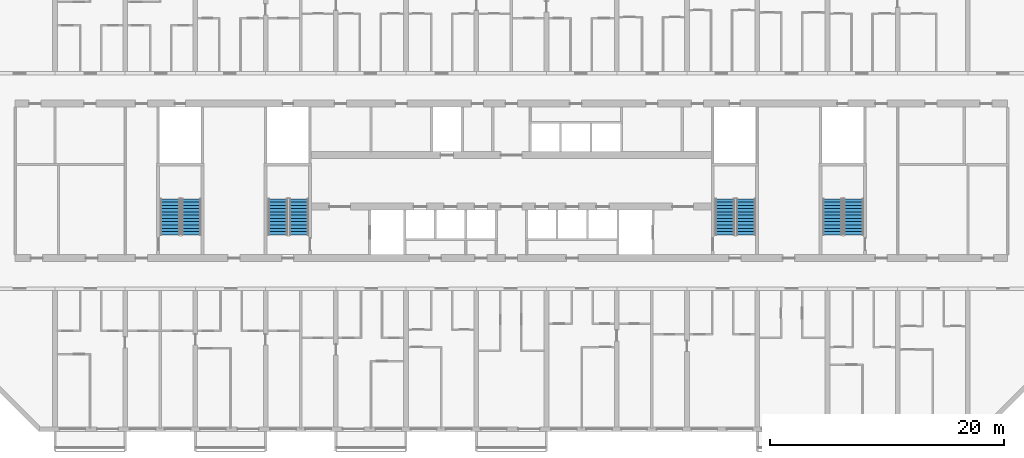
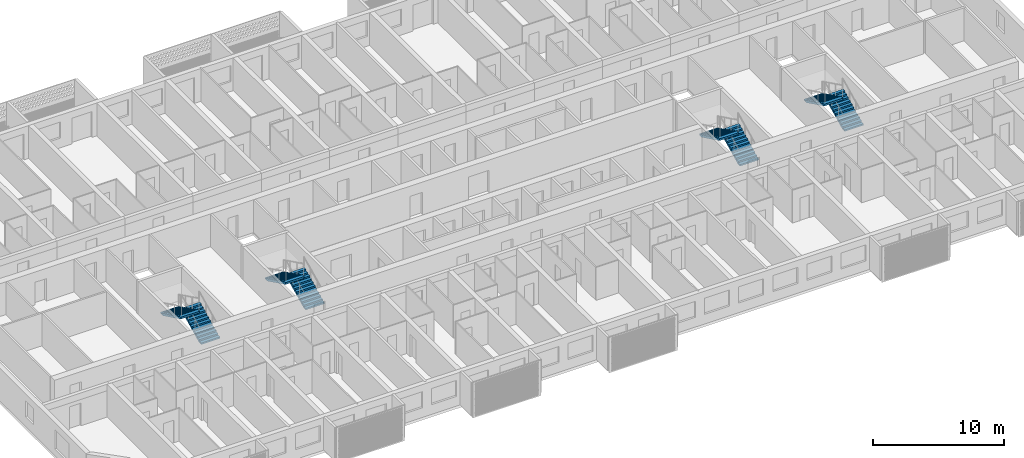
# One storey, part 17 of 39: 8 stair flights, 4 elements without a shape of their own.
"""IFC4 building model written with IfcOpenShell, lengths in metres."""

from ifc_helpers import new_model, si_unit, direction, frame, origin, place, context, subcontext, project, spatial, polyline, outline, extrude, material, layer, layer_set, type_object, element, aggregate, save


model = new_model("IFC4")

# Units and contexts
model_context = context("Model", 3, precision=1e-05, world=origin(), true_north=direction((0.0, 1.0)))
body_context = subcontext(model_context, "Body", "Model", "MODEL_VIEW")
ifc_project = project(units=[si_unit("LENGTHUNIT", "METRE"), si_unit("AREAUNIT", "SQUARE_METRE"), si_unit("VOLUMEUNIT", "CUBIC_METRE"), si_unit("PLANEANGLEUNIT", "RADIAN"), si_unit("MASSUNIT", "GRAM", prefix="KILO")], contexts=[model_context])

# Site, building, storey
site_placement = place(None, origin())
site = spatial("IfcSite", under=ifc_project, at=site_placement, CompositionType="ELEMENT")
building_placement = place(site_placement, origin())
building = spatial("IfcBuilding", under=site, at=building_placement, Name="Poui Terraces", CompositionType="ELEMENT")
storey_placement = place(building_placement, frame((0.0, 0.0, 56.39990234375)))
storey = spatial("IfcBuildingStorey", under=building, at=storey_placement, Name="L15", CompositionType="ELEMENT", Elevation=56.39990234375)

# Stair, stair flights
ifc_material = material(Name="Concrete 80 MPa", Category="concrete")
stair_type = type_object("IfcStairType", Name="EXIT STAIR 1650 80 MPA", PredefinedType="HALF_TURN_STAIR", material=ifc_material)
stair_1_placement = place(storey_placement, origin())
stair_1 = element("IfcStair", 1, at=stair_1_placement, inside=storey, type_object=stair_type, Name="L15 CORE STAIR EAST", PredefinedType="HALF_TURN_STAIR")
ifc_layer = layer(ifc_material, 0.14990234375)
ifc_layer_set = layer_set([ifc_layer], Name="Concrete 80 MPa")
stair_flight_type = type_object("IfcStairFlightType", Name="STAIR FLIGHT 12 RISERS 138 RISE 80 MPA", PredefinedType="STRAIGHT", material=ifc_layer_set)
stair_flight_1_placement = place(storey_placement, frame((71.050048828125, 16.60009765625, 0.0), z_axis=(0.0, 0.0, 1.0), x_axis=(0.0, 1.0, 0.0)))
stair_flight_1 = element("IfcStairFlight", 2, at=stair_flight_1_placement, type_object=stair_flight_type, Name="ST-CE flight 1", NumberOfRisers=12, NumberOfTreads=11, PredefinedType="STRAIGHT", RiserHeight=0.1375, TreadLength=0.28, context=body_context, shape_type="SweptSolid", body=[
    extrude(outline(polyline([(0.0, 0.0), (0.0, 0.137451171875), (0.280029296875, 0.137451171875), (0.280029296875, 0.27490234375), (0.56005859375, 0.27490234375), (0.56005859375, 0.41259765625), (0.840087890625, 0.41259765625), (0.840087890625, 0.550048828125), (1.1201171875, 0.550048828125), (1.1201171875, 0.6875), (1.39990234375, 0.6875), (1.39990234375, 0.824951171875), (1.679931640625, 0.824951171875), (1.679931640625, 0.96240234375), (1.9599609375, 0.96240234375), (1.9599609375, 1.10009765625), (2.239990234375, 1.10009765625), (2.239990234375, 1.237548828125), (2.52001953125, 1.237548828125), (2.52001953125, 1.375), (2.800048828125, 1.375), (2.800048828125, 1.512451171875), (3.080078125, 1.512451171875), (3.080078125, 1.64990234375), (3.080078125, 1.345458984375), (0.340087890625, 0.0), (0.0, 0.0)])), frame((0.0, 0.824951171875, 0.0), z_axis=(0.0, -1.0, 0.0), x_axis=(1.0, 0.0, 0.0)), (0.0, 0.0, 1.0), 1.64990234375),
])
stair_flight_2_placement = place(storey_placement, frame((69.25, 19.679931640625, 1.650146484375), z_axis=(0.0, 0.0, 1.0), x_axis=(0.0, -1.0, 0.0)))
stair_flight_2 = element("IfcStairFlight", 3, at=stair_flight_2_placement, type_object=stair_flight_type, Name="ST-CE flight 2", NumberOfRisers=12, NumberOfTreads=11, PredefinedType="STRAIGHT", RiserHeight=0.1375, TreadLength=0.28, context=body_context, shape_type="SweptSolid", body=[
    extrude(outline(polyline([(0.0, 0.0), (0.0, 0.137451171875), (0.280029296875, 0.137451171875), (0.280029296875, 0.27490234375), (0.56005859375, 0.27490234375), (0.56005859375, 0.41259765625), (0.840087890625, 0.41259765625), (0.840087890625, 0.550048828125), (1.1201171875, 0.550048828125), (1.1201171875, 0.6875), (1.39990234375, 0.6875), (1.39990234375, 0.824951171875), (1.679931640625, 0.824951171875), (1.679931640625, 0.96240234375), (1.9599609375, 0.96240234375), (1.9599609375, 1.10009765625), (2.239990234375, 1.10009765625), (2.239990234375, 1.237548828125), (2.52001953125, 1.237548828125), (2.52001953125, 1.375), (2.800048828125, 1.375), (2.800048828125, 1.512451171875), (3.080078125, 1.512451171875), (3.080078125, 1.64990234375), (3.080078125, 1.345458984375), (0.340087890625, 0.0), (0.0, 0.0)])), frame((0.0, 0.824951171875, 0.0), z_axis=(0.0, -1.0, 0.0), x_axis=(1.0, 0.0, 0.0)), (0.0, 0.0, 1.0), 1.64990234375),
])
aggregate(stair_1, [stair_flight_1, stair_flight_2])

stair_2_placement = place(storey_placement, origin())
stair_2 = element("IfcStair", 4, at=stair_2_placement, inside=storey, type_object=stair_type, Name="L15 CORE STAIR WEST", PredefinedType="HALF_TURN_STAIR")
stair_flight_3_placement = place(storey_placement, frame((32.85009765625, 16.60009765625, 0.0), z_axis=(0.0, 0.0, 1.0), x_axis=(0.0, 1.0, 0.0)))
stair_flight_3 = element("IfcStairFlight", 5, at=stair_flight_3_placement, type_object=stair_flight_type, Name="ST-CW flight 1", NumberOfRisers=12, NumberOfTreads=11, PredefinedType="STRAIGHT", RiserHeight=0.1375, TreadLength=0.28, context=body_context, shape_type="SweptSolid", body=[
    extrude(outline(polyline([(0.0, 0.0), (0.0, 0.137451171875), (0.280029296875, 0.137451171875), (0.280029296875, 0.27490234375), (0.56005859375, 0.27490234375), (0.56005859375, 0.41259765625), (0.840087890625, 0.41259765625), (0.840087890625, 0.550048828125), (1.1201171875, 0.550048828125), (1.1201171875, 0.6875), (1.39990234375, 0.6875), (1.39990234375, 0.824951171875), (1.679931640625, 0.824951171875), (1.679931640625, 0.96240234375), (1.9599609375, 0.96240234375), (1.9599609375, 1.10009765625), (2.239990234375, 1.10009765625), (2.239990234375, 1.237548828125), (2.52001953125, 1.237548828125), (2.52001953125, 1.375), (2.800048828125, 1.375), (2.800048828125, 1.512451171875), (3.080078125, 1.512451171875), (3.080078125, 1.64990234375), (3.080078125, 1.345458984375), (0.340087890625, 0.0), (0.0, 0.0)])), frame((0.0, 0.824951171875, 0.0), z_axis=(0.0, -1.0, 0.0), x_axis=(1.0, 0.0, 0.0)), (0.0, 0.0, 1.0), 1.64990234375),
])
stair_flight_4_placement = place(storey_placement, frame((31.050048828125, 19.679931640625, 1.650146484375), z_axis=(0.0, 0.0, 1.0), x_axis=(0.0, -1.0, 0.0)))
stair_flight_4 = element("IfcStairFlight", 6, at=stair_flight_4_placement, type_object=stair_flight_type, Name="ST-CW flight 2", NumberOfRisers=12, NumberOfTreads=11, PredefinedType="STRAIGHT", RiserHeight=0.1375, TreadLength=0.28, context=body_context, shape_type="SweptSolid", body=[
    extrude(outline(polyline([(0.0, 0.0), (0.0, 0.137451171875), (0.280029296875, 0.137451171875), (0.280029296875, 0.27490234375), (0.56005859375, 0.27490234375), (0.56005859375, 0.41259765625), (0.840087890625, 0.41259765625), (0.840087890625, 0.550048828125), (1.1201171875, 0.550048828125), (1.1201171875, 0.6875), (1.39990234375, 0.6875), (1.39990234375, 0.824951171875), (1.679931640625, 0.824951171875), (1.679931640625, 0.96240234375), (1.9599609375, 0.96240234375), (1.9599609375, 1.10009765625), (2.239990234375, 1.10009765625), (2.239990234375, 1.237548828125), (2.52001953125, 1.237548828125), (2.52001953125, 1.375), (2.800048828125, 1.375), (2.800048828125, 1.512451171875), (3.080078125, 1.512451171875), (3.080078125, 1.64990234375), (3.080078125, 1.345458984375), (0.340087890625, 0.0), (0.0, 0.0)])), frame((0.0, 0.824951171875, 0.0), z_axis=(0.0, -1.0, 0.0), x_axis=(1.0, 0.0, 0.0)), (0.0, 0.0, 1.0), 1.64990234375),
])
aggregate(stair_2, [stair_flight_3, stair_flight_4])

stair_3_placement = place(storey_placement, origin())
stair_3 = element("IfcStair", 7, at=stair_3_placement, inside=storey, type_object=stair_type, Name="L15 TIP STAIR EAST", PredefinedType="HALF_TURN_STAIR")
stair_flight_5_placement = place(storey_placement, frame((80.25, 16.60009765625, 0.0), z_axis=(0.0, 0.0, 1.0), x_axis=(0.0, 1.0, 0.0)))
stair_flight_5 = element("IfcStairFlight", 8, at=stair_flight_5_placement, type_object=stair_flight_type, Name="ST-E flight 1", NumberOfRisers=12, NumberOfTreads=11, PredefinedType="STRAIGHT", RiserHeight=0.1375, TreadLength=0.28, context=body_context, shape_type="SweptSolid", body=[
    extrude(outline(polyline([(0.0, 0.0), (0.0, 0.137451171875), (0.280029296875, 0.137451171875), (0.280029296875, 0.27490234375), (0.56005859375, 0.27490234375), (0.56005859375, 0.41259765625), (0.840087890625, 0.41259765625), (0.840087890625, 0.550048828125), (1.1201171875, 0.550048828125), (1.1201171875, 0.6875), (1.39990234375, 0.6875), (1.39990234375, 0.824951171875), (1.679931640625, 0.824951171875), (1.679931640625, 0.96240234375), (1.9599609375, 0.96240234375), (1.9599609375, 1.10009765625), (2.239990234375, 1.10009765625), (2.239990234375, 1.237548828125), (2.52001953125, 1.237548828125), (2.52001953125, 1.375), (2.800048828125, 1.375), (2.800048828125, 1.512451171875), (3.080078125, 1.512451171875), (3.080078125, 1.64990234375), (3.080078125, 1.345458984375), (0.340087890625, 0.0), (0.0, 0.0)])), frame((0.0, 0.824951171875, 0.0), z_axis=(0.0, -1.0, 0.0), x_axis=(1.0, 0.0, 0.0)), (0.0, 0.0, 1.0), 1.64990234375),
])
stair_flight_6_placement = place(storey_placement, frame((78.449951171875, 19.679931640625, 1.650146484375), z_axis=(0.0, 0.0, 1.0), x_axis=(0.0, -1.0, 0.0)))
stair_flight_6 = element("IfcStairFlight", 9, at=stair_flight_6_placement, type_object=stair_flight_type, Name="ST-E flight 2", NumberOfRisers=12, NumberOfTreads=11, PredefinedType="STRAIGHT", RiserHeight=0.1375, TreadLength=0.28, context=body_context, shape_type="SweptSolid", body=[
    extrude(outline(polyline([(0.0, 0.0), (0.0, 0.137451171875), (0.280029296875, 0.137451171875), (0.280029296875, 0.27490234375), (0.56005859375, 0.27490234375), (0.56005859375, 0.41259765625), (0.840087890625, 0.41259765625), (0.840087890625, 0.550048828125), (1.1201171875, 0.550048828125), (1.1201171875, 0.6875), (1.39990234375, 0.6875), (1.39990234375, 0.824951171875), (1.679931640625, 0.824951171875), (1.679931640625, 0.96240234375), (1.9599609375, 0.96240234375), (1.9599609375, 1.10009765625), (2.239990234375, 1.10009765625), (2.239990234375, 1.237548828125), (2.52001953125, 1.237548828125), (2.52001953125, 1.375), (2.800048828125, 1.375), (2.800048828125, 1.512451171875), (3.080078125, 1.512451171875), (3.080078125, 1.64990234375), (3.080078125, 1.345458984375), (0.340087890625, 0.0), (0.0, 0.0)])), frame((0.0, 0.824951171875, 0.0), z_axis=(0.0, -1.0, 0.0), x_axis=(1.0, 0.0, 0.0)), (0.0, 0.0, 1.0), 1.64990234375),
])
aggregate(stair_3, [stair_flight_5, stair_flight_6])

stair_4_placement = place(storey_placement, origin())
stair_4 = element("IfcStair", 10, at=stair_4_placement, inside=storey, type_object=stair_type, Name="L15 TIP STAIR WEST", PredefinedType="HALF_TURN_STAIR")
stair_flight_7_placement = place(storey_placement, frame((23.64990234375, 16.60009765625, 0.0), z_axis=(0.0, 0.0, 1.0), x_axis=(0.0, 1.0, 0.0)))
stair_flight_7 = element("IfcStairFlight", 11, at=stair_flight_7_placement, type_object=stair_flight_type, Name="ST-W flight 1", NumberOfRisers=12, NumberOfTreads=11, PredefinedType="STRAIGHT", RiserHeight=0.1375, TreadLength=0.28, context=body_context, shape_type="SweptSolid", body=[
    extrude(outline(polyline([(0.0, 0.0), (0.0, 0.137451171875), (0.280029296875, 0.137451171875), (0.280029296875, 0.27490234375), (0.56005859375, 0.27490234375), (0.56005859375, 0.41259765625), (0.840087890625, 0.41259765625), (0.840087890625, 0.550048828125), (1.1201171875, 0.550048828125), (1.1201171875, 0.6875), (1.39990234375, 0.6875), (1.39990234375, 0.824951171875), (1.679931640625, 0.824951171875), (1.679931640625, 0.96240234375), (1.9599609375, 0.96240234375), (1.9599609375, 1.10009765625), (2.239990234375, 1.10009765625), (2.239990234375, 1.237548828125), (2.52001953125, 1.237548828125), (2.52001953125, 1.375), (2.800048828125, 1.375), (2.800048828125, 1.512451171875), (3.080078125, 1.512451171875), (3.080078125, 1.64990234375), (3.080078125, 1.345458984375), (0.340087890625, 0.0), (0.0, 0.0)])), frame((0.0, 0.824951171875, 0.0), z_axis=(0.0, -1.0, 0.0), x_axis=(1.0, 0.0, 0.0)), (0.0, 0.0, 1.0), 1.64990234375),
])
stair_flight_8_placement = place(storey_placement, frame((21.85009765625, 19.679931640625, 1.650146484375), z_axis=(0.0, 0.0, 1.0), x_axis=(0.0, -1.0, 0.0)))
stair_flight_8 = element("IfcStairFlight", 12, at=stair_flight_8_placement, type_object=stair_flight_type, Name="ST-W flight 2", NumberOfRisers=12, NumberOfTreads=11, PredefinedType="STRAIGHT", RiserHeight=0.1375, TreadLength=0.28, context=body_context, shape_type="SweptSolid", body=[
    extrude(outline(polyline([(0.0, 0.0), (0.0, 0.137451171875), (0.280029296875, 0.137451171875), (0.280029296875, 0.27490234375), (0.56005859375, 0.27490234375), (0.56005859375, 0.41259765625), (0.840087890625, 0.41259765625), (0.840087890625, 0.550048828125), (1.1201171875, 0.550048828125), (1.1201171875, 0.6875), (1.39990234375, 0.6875), (1.39990234375, 0.824951171875), (1.679931640625, 0.824951171875), (1.679931640625, 0.96240234375), (1.9599609375, 0.96240234375), (1.9599609375, 1.10009765625), (2.239990234375, 1.10009765625), (2.239990234375, 1.237548828125), (2.52001953125, 1.237548828125), (2.52001953125, 1.375), (2.800048828125, 1.375), (2.800048828125, 1.512451171875), (3.080078125, 1.512451171875), (3.080078125, 1.64990234375), (3.080078125, 1.345458984375), (0.340087890625, 0.0), (0.0, 0.0)])), frame((0.0, 0.824951171875, 0.0), z_axis=(0.0, -1.0, 0.0), x_axis=(1.0, 0.0, 0.0)), (0.0, 0.0, 1.0), 1.64990234375),
])
aggregate(stair_4, [stair_flight_7, stair_flight_8])

save(model, "model.ifc")
